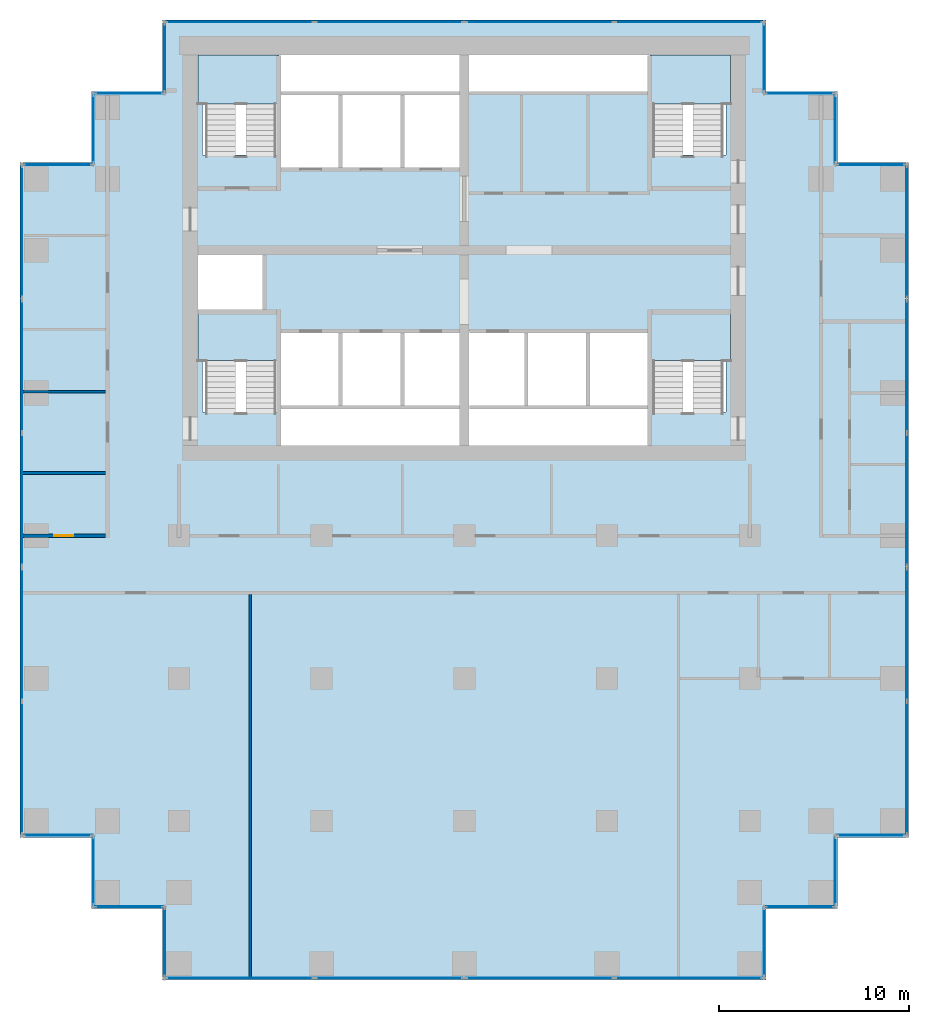
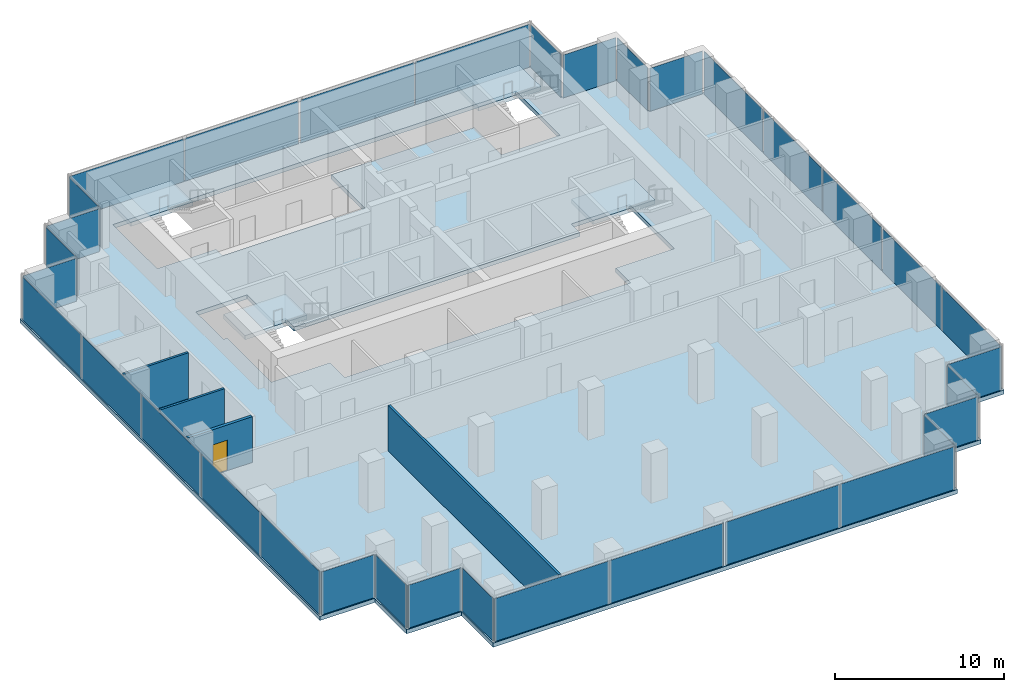
# One storey, part 6 of 10: 34 plates, 5 slabs, 4 walls, 1 door, 1 opening, 30 elements without a shape of their own.
"""IFC4 building model written with IfcOpenShell, lengths in metres."""

from ifc_helpers import new_model, si_unit, direction, frame, frame_2d, origin, origin_2d, place, context, subcontext, project, spatial, polyline, rectangle, outline, extrude, material, layer, layer_set, type_object, element, fill, aggregate, save


model = new_model("IFC4")

# Units and contexts
model_context = context("Model", 3, precision=1e-05, world=origin(), true_north=direction((0.0, 1.0)))
body_context = subcontext(model_context, "Body", "Model", "MODEL_VIEW")
ifc_project = project(units=[si_unit("LENGTHUNIT", "METRE"), si_unit("AREAUNIT", "SQUARE_METRE"), si_unit("VOLUMEUNIT", "CUBIC_METRE"), si_unit("PLANEANGLEUNIT", "RADIAN"), si_unit("MASSUNIT", "GRAM", prefix="KILO")], contexts=[model_context])

# Site, building, storey
site_placement = place(None, origin())
site = spatial("IfcSite", under=ifc_project, at=site_placement, CompositionType="ELEMENT")
building_placement = place(site_placement, origin())
building = spatial("IfcBuilding", under=site, at=building_placement, Name="Pilkhan Gate Tower", CompositionType="ELEMENT")
storey_placement = place(building_placement, frame((0.0, 0.0, 110.800048828125)))
storey = spatial("IfcBuildingStorey", under=building, at=storey_placement, Name="L27", CompositionType="ELEMENT", Elevation=110.800048828125)

# Slab
ifc_material_1 = material(Name="Concrete C40/50", Category="concrete")
ifc_layer_1 = layer(ifc_material_1, 0.300048828125)
ifc_layer_set_1 = layer_set([ifc_layer_1], Name="Flat plate slab FP300")
slab_type_1 = type_object("IfcSlabType", Name="Flat plate slab FP300", PredefinedType="FLOOR", material=ifc_layer_set_1)
slab_1_placement = place(storey_placement, frame((0.0, 0.0, -0.300048828125)))
element("IfcSlab", 1, at=slab_1_placement, inside=storey, type_object=slab_type_1, Name="Floor slab L27", PredefinedType="FLOOR", context=body_context, shape_type="SweptSolid", body=[
    extrude(outline(polyline([(94.60009765625, 47.89990234375), (90.85009765625, 47.89990234375), (90.85009765625, 44.14990234375), (59.14990234375, 44.14990234375), (59.14990234375, 47.89990234375), (55.39990234375, 47.89990234375), (55.39990234375, 51.64990234375), (51.64990234375, 51.64990234375), (51.64990234375, 87.10009765625), (55.39990234375, 87.10009765625), (55.39990234375, 90.85009765625), (59.14990234375, 90.85009765625), (59.14990234375, 94.60009765625), (90.85009765625, 94.60009765625), (90.85009765625, 90.85009765625), (94.60009765625, 90.85009765625), (94.60009765625, 87.10009765625), (98.35009765625, 87.10009765625), (98.35009765625, 51.64990234375), (94.60009765625, 51.64990234375), (94.60009765625, 47.89990234375)]), holes=[polyline([(65.25, 87.5), (65.25, 86.75), (68.5, 86.75), (71.75, 86.75), (75.0, 86.75), (75.0, 90.75), (84.75, 90.75), (84.75, 87.5), (88.75, 87.5), (88.75, 92.75), (84.75, 92.75), (75.0, 92.75), (65.25, 92.75), (61.25, 92.75), (61.25, 87.5), (65.25, 87.5)]), polyline([(75.0, 72.25), (84.75, 72.25), (84.75, 74.0), (88.75, 74.0), (88.75, 79.25), (84.75, 79.25), (84.75, 78.25), (81.5, 78.25), (78.25, 78.25), (75.0, 78.25), (71.75, 78.25), (68.5, 78.25), (65.25, 78.25), (65.25, 79.25), (64.5, 79.25), (64.5, 82.5), (61.25, 82.5), (61.0, 82.5), (61.0, 79.25), (61.25, 79.25), (61.25, 74.0), (65.25, 74.0), (65.25, 72.25), (75.0, 72.25)])]), origin(), (0.0, 0.0, 1.0), 0.300048828125),
])

# Curtain wall, plates
ifc_material_2 = material(Name="Pale anodised aluminium, clear low-iron double glazing", Category="aluminium")
curtain_wall_type = type_object("IfcCurtainWallType", Name="Office unitised curtain wall CW-O1", PredefinedType="USERDEFINED", material=ifc_material_2)
curtain_wall_1_placement = place(storey_placement, origin())
curtain_wall_1 = element("IfcCurtainWall", 2, at=curtain_wall_1_placement, inside=storey, type_object=curtain_wall_type, Name="Office unitised curtain wall CW-O1 L27 E", ObjectType="UNITISED CURTAIN WALL", PredefinedType="USERDEFINED")
ifc_material_3 = material(Name="Clear low-iron double glazing", Category="glass")
ifc_layer_2 = layer(ifc_material_3, 0.0400390625)
ifc_layer_set_2 = layer_set([ifc_layer_2], Name="Glass panel CW-O1 40")
plate_type = type_object("IfcPlateType", Name="Glass panel CW-O1 40", PredefinedType="CURTAIN_PANEL", material=ifc_layer_set_2)
plate_1_placement = place(storey_placement, frame((98.25, 55.29248046875, 0.0), z_axis=(0.0, 0.0, 1.0), x_axis=(0.0, 1.0, 0.0)))
plate_1 = element("IfcPlate", 3, at=plate_1_placement, type_object=plate_type, Name="CW-O1 panel 1", PredefinedType="CURTAIN_PANEL", context=body_context, shape_type="SweptSolid", body=[
    extrude(rectangle(XDim=6.945068359375, YDim=0.0400390625, at=origin_2d()), origin(), (0.0, 0.0, 1.0), 3.10009765625),
])
plate_2_placement = place(storey_placement, frame((98.25, 62.3076171875, 0.0), z_axis=(0.0, 0.0, 1.0), x_axis=(0.0, 1.0, 0.0)))
plate_2 = element("IfcPlate", 4, at=plate_2_placement, type_object=plate_type, Name="CW-O1 panel 2", PredefinedType="CURTAIN_PANEL", context=body_context, shape_type="SweptSolid", body=[
    extrude(rectangle(XDim=6.945068359375, YDim=0.0400390625, at=origin_2d()), origin(), (0.0, 0.0, 1.0), 3.10009765625),
])
aggregate(curtain_wall_1, [plate_1, plate_2])

curtain_wall_2_placement = place(storey_placement, origin())
curtain_wall_2 = element("IfcCurtainWall", 5, at=curtain_wall_2_placement, inside=storey, type_object=curtain_wall_type, Name="Office unitised curtain wall CW-O1 L27 E", ObjectType="UNITISED CURTAIN WALL", PredefinedType="USERDEFINED")
plate_3_placement = place(storey_placement, frame((98.25, 69.392578125, 0.0), z_axis=(0.0, 0.0, 1.0), x_axis=(0.0, 1.0, 0.0)))
plate_3 = element("IfcPlate", 6, at=plate_3_placement, type_object=plate_type, Name="CW-O1 panel 1", PredefinedType="CURTAIN_PANEL", context=body_context, shape_type="SweptSolid", body=[
    extrude(rectangle(XDim=6.945068359375, YDim=0.0400390625, at=origin_2d()), origin(), (0.0, 0.0, 1.0), 3.10009765625),
])
plate_4_placement = place(storey_placement, frame((98.25, 76.407470703125, 0.0), z_axis=(0.0, 0.0, 1.0), x_axis=(0.0, 1.0, 0.0)))
plate_4 = element("IfcPlate", 7, at=plate_4_placement, type_object=plate_type, Name="CW-O1 panel 2", PredefinedType="CURTAIN_PANEL", context=body_context, shape_type="SweptSolid", body=[
    extrude(rectangle(XDim=6.945068359375, YDim=0.0400390625, at=origin_2d()), origin(), (0.0, 0.0, 1.0), 3.10009765625),
])
aggregate(curtain_wall_2, [plate_3, plate_4])

# Curtain wall, plate
curtain_wall_3_placement = place(storey_placement, origin())
curtain_wall_3 = element("IfcCurtainWall", 8, at=curtain_wall_3_placement, inside=storey, type_object=curtain_wall_type, Name="Office unitised curtain wall CW-O1 L27 E", ObjectType="UNITISED CURTAIN WALL", PredefinedType="USERDEFINED")
plate_5_placement = place(storey_placement, frame((98.25, 83.47509765625, 0.0), z_axis=(0.0, 0.0, 1.0), x_axis=(0.0, 1.0, 0.0)))
plate_5 = element("IfcPlate", 9, at=plate_5_placement, type_object=plate_type, Name="CW-O1 panel 1", PredefinedType="CURTAIN_PANEL", context=body_context, shape_type="SweptSolid", body=[
    extrude(rectangle(XDim=6.909912109375, YDim=0.0400390625, at=origin_2d()), origin(), (0.0, 0.0, 1.0), 3.10009765625),
])
aggregate(curtain_wall_3, [plate_5])

curtain_wall_4_placement = place(storey_placement, origin())
curtain_wall_4 = element("IfcCurtainWall", 10, at=curtain_wall_4_placement, inside=storey, type_object=curtain_wall_type, Name="Office unitised curtain wall CW-O1 L27 N", ObjectType="UNITISED CURTAIN WALL", PredefinedType="USERDEFINED")
plate_6_placement = place(storey_placement, frame((96.375, 87.0, 0.0), z_axis=(0.0, 0.0, 1.0), x_axis=(1.0, 0.0, 0.0)))
plate_6 = element("IfcPlate", 11, at=plate_6_placement, type_object=plate_type, Name="CW-O1 panel 1", PredefinedType="CURTAIN_PANEL", context=body_context, shape_type="SweptSolid", body=[
    extrude(rectangle(XDim=3.610107421875, YDim=0.0400390625, at=origin_2d()), origin(), (0.0, 0.0, 1.0), 3.10009765625),
])
aggregate(curtain_wall_4, [plate_6])

curtain_wall_5_placement = place(storey_placement, origin())
curtain_wall_5 = element("IfcCurtainWall", 12, at=curtain_wall_5_placement, inside=storey, type_object=curtain_wall_type, Name="Office unitised curtain wall CW-O1 L27 E", ObjectType="UNITISED CURTAIN WALL", PredefinedType="USERDEFINED")
plate_7_placement = place(storey_placement, frame((94.5, 88.875, 0.0), z_axis=(0.0, 0.0, 1.0), x_axis=(0.0, 1.0, 0.0)))
plate_7 = element("IfcPlate", 13, at=plate_7_placement, type_object=plate_type, Name="CW-O1 panel 1", PredefinedType="CURTAIN_PANEL", context=body_context, shape_type="SweptSolid", body=[
    extrude(rectangle(XDim=3.610107421875, YDim=0.0400390625, at=origin_2d()), origin(), (0.0, 0.0, 1.0), 3.10009765625),
])
aggregate(curtain_wall_5, [plate_7])

curtain_wall_6_placement = place(storey_placement, origin())
curtain_wall_6 = element("IfcCurtainWall", 14, at=curtain_wall_6_placement, inside=storey, type_object=curtain_wall_type, Name="Office unitised curtain wall CW-O1 L27 N", ObjectType="UNITISED CURTAIN WALL", PredefinedType="USERDEFINED")
plate_8_placement = place(storey_placement, frame((92.625, 90.75, 0.0), z_axis=(0.0, 0.0, 1.0), x_axis=(1.0, 0.0, 0.0)))
plate_8 = element("IfcPlate", 15, at=plate_8_placement, type_object=plate_type, Name="CW-O1 panel 1", PredefinedType="CURTAIN_PANEL", context=body_context, shape_type="SweptSolid", body=[
    extrude(rectangle(XDim=3.610107421875, YDim=0.0400390625, at=origin_2d()), origin(), (0.0, 0.0, 1.0), 3.10009765625),
])
aggregate(curtain_wall_6, [plate_8])

curtain_wall_7_placement = place(storey_placement, origin())
curtain_wall_7 = element("IfcCurtainWall", 16, at=curtain_wall_7_placement, inside=storey, type_object=curtain_wall_type, Name="Office unitised curtain wall CW-O1 L27 E", ObjectType="UNITISED CURTAIN WALL", PredefinedType="USERDEFINED")
plate_9_placement = place(storey_placement, frame((90.75, 92.625, 0.0), z_axis=(0.0, 0.0, 1.0), x_axis=(0.0, 1.0, 0.0)))
plate_9 = element("IfcPlate", 17, at=plate_9_placement, type_object=plate_type, Name="CW-O1 panel 1", PredefinedType="CURTAIN_PANEL", context=body_context, shape_type="SweptSolid", body=[
    extrude(rectangle(XDim=3.610107421875, YDim=0.0400390625, at=origin_2d()), origin(), (0.0, 0.0, 1.0), 3.10009765625),
])
aggregate(curtain_wall_7, [plate_9])

# Curtain wall, plates
curtain_wall_8_placement = place(storey_placement, origin())
curtain_wall_8 = element("IfcCurtainWall", 18, at=curtain_wall_8_placement, inside=storey, type_object=curtain_wall_type, Name="Office unitised curtain wall CW-O1 L27 N", ObjectType="UNITISED CURTAIN WALL", PredefinedType="USERDEFINED")
plate_10_placement = place(storey_placement, frame((63.205078125, 94.5, 0.0), z_axis=(0.0, 0.0, 1.0), x_axis=(1.0, 0.0, 0.0)))
plate_10 = element("IfcPlate", 19, at=plate_10_placement, type_object=plate_type, Name="CW-O1 panel 1", PredefinedType="CURTAIN_PANEL", context=body_context, shape_type="SweptSolid", body=[
    extrude(rectangle(XDim=7.77001953125, YDim=0.0400390625, at=origin_2d()), origin(), (0.0, 0.0, 1.0), 3.10009765625),
])
plate_11_placement = place(storey_placement, frame((71.044921875, 94.5, 0.0), z_axis=(0.0, 0.0, 1.0), x_axis=(1.0, 0.0, 0.0)))
plate_11 = element("IfcPlate", 20, at=plate_11_placement, type_object=plate_type, Name="CW-O1 panel 2", PredefinedType="CURTAIN_PANEL", context=body_context, shape_type="SweptSolid", body=[
    extrude(rectangle(XDim=7.77001953125, YDim=0.0400390625, at=origin_2d()), origin(), (0.0, 0.0, 1.0), 3.10009765625),
])
aggregate(curtain_wall_8, [plate_10, plate_11])

curtain_wall_9_placement = place(storey_placement, origin())
curtain_wall_9 = element("IfcCurtainWall", 21, at=curtain_wall_9_placement, inside=storey, type_object=curtain_wall_type, Name="Office unitised curtain wall CW-O1 L27 N", ObjectType="UNITISED CURTAIN WALL", PredefinedType="USERDEFINED")
plate_12_placement = place(storey_placement, frame((78.955078125, 94.5, 0.0), z_axis=(0.0, 0.0, 1.0), x_axis=(1.0, 0.0, 0.0)))
plate_12 = element("IfcPlate", 22, at=plate_12_placement, type_object=plate_type, Name="CW-O1 panel 1", PredefinedType="CURTAIN_PANEL", context=body_context, shape_type="SweptSolid", body=[
    extrude(rectangle(XDim=7.77001953125, YDim=0.0400390625, at=origin_2d()), origin(), (0.0, 0.0, 1.0), 3.10009765625),
])
plate_13_placement = place(storey_placement, frame((86.794921875, 94.5, 0.0), z_axis=(0.0, 0.0, 1.0), x_axis=(1.0, 0.0, 0.0)))
plate_13 = element("IfcPlate", 23, at=plate_13_placement, type_object=plate_type, Name="CW-O1 panel 2", PredefinedType="CURTAIN_PANEL", context=body_context, shape_type="SweptSolid", body=[
    extrude(rectangle(XDim=7.77001953125, YDim=0.0400390625, at=origin_2d()), origin(), (0.0, 0.0, 1.0), 3.10009765625),
])
aggregate(curtain_wall_9, [plate_12, plate_13])

# Curtain wall, plate
curtain_wall_10_placement = place(storey_placement, origin())
curtain_wall_10 = element("IfcCurtainWall", 24, at=curtain_wall_10_placement, inside=storey, type_object=curtain_wall_type, Name="Office unitised curtain wall CW-O1 L27 W", ObjectType="UNITISED CURTAIN WALL", PredefinedType="USERDEFINED")
plate_14_placement = place(storey_placement, frame((59.25, 92.625, 0.0), z_axis=(0.0, 0.0, 1.0), x_axis=(0.0, 1.0, 0.0)))
plate_14 = element("IfcPlate", 25, at=plate_14_placement, type_object=plate_type, Name="CW-O1 panel 1", PredefinedType="CURTAIN_PANEL", context=body_context, shape_type="SweptSolid", body=[
    extrude(rectangle(XDim=3.610107421875, YDim=0.0400390625, at=origin_2d()), origin(), (0.0, 0.0, 1.0), 3.10009765625),
])
aggregate(curtain_wall_10, [plate_14])

curtain_wall_11_placement = place(storey_placement, origin())
curtain_wall_11 = element("IfcCurtainWall", 26, at=curtain_wall_11_placement, inside=storey, type_object=curtain_wall_type, Name="Office unitised curtain wall CW-O1 L27 N", ObjectType="UNITISED CURTAIN WALL", PredefinedType="USERDEFINED")
plate_15_placement = place(storey_placement, frame((57.375, 90.75, 0.0), z_axis=(0.0, 0.0, 1.0), x_axis=(1.0, 0.0, 0.0)))
plate_15 = element("IfcPlate", 27, at=plate_15_placement, type_object=plate_type, Name="CW-O1 panel 1", PredefinedType="CURTAIN_PANEL", context=body_context, shape_type="SweptSolid", body=[
    extrude(rectangle(XDim=3.610107421875, YDim=0.0400390625, at=origin_2d()), origin(), (0.0, 0.0, 1.0), 3.10009765625),
])
aggregate(curtain_wall_11, [plate_15])

curtain_wall_12_placement = place(storey_placement, origin())
curtain_wall_12 = element("IfcCurtainWall", 28, at=curtain_wall_12_placement, inside=storey, type_object=curtain_wall_type, Name="Office unitised curtain wall CW-O1 L27 W", ObjectType="UNITISED CURTAIN WALL", PredefinedType="USERDEFINED")
plate_16_placement = place(storey_placement, frame((55.5, 88.875, 0.0), z_axis=(0.0, 0.0, 1.0), x_axis=(0.0, 1.0, 0.0)))
plate_16 = element("IfcPlate", 29, at=plate_16_placement, type_object=plate_type, Name="CW-O1 panel 1", PredefinedType="CURTAIN_PANEL", context=body_context, shape_type="SweptSolid", body=[
    extrude(rectangle(XDim=3.610107421875, YDim=0.0400390625, at=origin_2d()), origin(), (0.0, 0.0, 1.0), 3.10009765625),
])
aggregate(curtain_wall_12, [plate_16])

curtain_wall_13_placement = place(storey_placement, origin())
curtain_wall_13 = element("IfcCurtainWall", 30, at=curtain_wall_13_placement, inside=storey, type_object=curtain_wall_type, Name="Office unitised curtain wall CW-O1 L27 N", ObjectType="UNITISED CURTAIN WALL", PredefinedType="USERDEFINED")
plate_17_placement = place(storey_placement, frame((53.625, 87.0, 0.0), z_axis=(0.0, 0.0, 1.0), x_axis=(1.0, 0.0, 0.0)))
plate_17 = element("IfcPlate", 31, at=plate_17_placement, type_object=plate_type, Name="CW-O1 panel 1", PredefinedType="CURTAIN_PANEL", context=body_context, shape_type="SweptSolid", body=[
    extrude(rectangle(XDim=3.610107421875, YDim=0.0400390625, at=origin_2d()), origin(), (0.0, 0.0, 1.0), 3.10009765625),
])
aggregate(curtain_wall_13, [plate_17])

# Curtain wall, plates
curtain_wall_14_placement = place(storey_placement, origin())
curtain_wall_14 = element("IfcCurtainWall", 32, at=curtain_wall_14_placement, inside=storey, type_object=curtain_wall_type, Name="Office unitised curtain wall CW-O1 L27 W", ObjectType="UNITISED CURTAIN WALL", PredefinedType="USERDEFINED")
plate_18_placement = place(storey_placement, frame((51.75, 55.29248046875, 0.0), z_axis=(0.0, 0.0, 1.0), x_axis=(0.0, 1.0, 0.0)))
plate_18 = element("IfcPlate", 33, at=plate_18_placement, type_object=plate_type, Name="CW-O1 panel 1", PredefinedType="CURTAIN_PANEL", context=body_context, shape_type="SweptSolid", body=[
    extrude(rectangle(XDim=6.945068359375, YDim=0.0400390625, at=origin_2d()), origin(), (0.0, 0.0, 1.0), 3.10009765625),
])
plate_19_placement = place(storey_placement, frame((51.75, 62.3076171875, 0.0), z_axis=(0.0, 0.0, 1.0), x_axis=(0.0, 1.0, 0.0)))
plate_19 = element("IfcPlate", 34, at=plate_19_placement, type_object=plate_type, Name="CW-O1 panel 2", PredefinedType="CURTAIN_PANEL", context=body_context, shape_type="SweptSolid", body=[
    extrude(rectangle(XDim=6.945068359375, YDim=0.0400390625, at=origin_2d()), origin(), (0.0, 0.0, 1.0), 3.10009765625),
])
aggregate(curtain_wall_14, [plate_18, plate_19])

curtain_wall_15_placement = place(storey_placement, origin())
curtain_wall_15 = element("IfcCurtainWall", 35, at=curtain_wall_15_placement, inside=storey, type_object=curtain_wall_type, Name="Office unitised curtain wall CW-O1 L27 W", ObjectType="UNITISED CURTAIN WALL", PredefinedType="USERDEFINED")
plate_20_placement = place(storey_placement, frame((51.75, 69.392578125, 0.0), z_axis=(0.0, 0.0, 1.0), x_axis=(0.0, 1.0, 0.0)))
plate_20 = element("IfcPlate", 36, at=plate_20_placement, type_object=plate_type, Name="CW-O1 panel 1", PredefinedType="CURTAIN_PANEL", context=body_context, shape_type="SweptSolid", body=[
    extrude(rectangle(XDim=6.945068359375, YDim=0.0400390625, at=origin_2d()), origin(), (0.0, 0.0, 1.0), 3.10009765625),
])
plate_21_placement = place(storey_placement, frame((51.75, 76.407470703125, 0.0), z_axis=(0.0, 0.0, 1.0), x_axis=(0.0, 1.0, 0.0)))
plate_21 = element("IfcPlate", 37, at=plate_21_placement, type_object=plate_type, Name="CW-O1 panel 2", PredefinedType="CURTAIN_PANEL", context=body_context, shape_type="SweptSolid", body=[
    extrude(rectangle(XDim=6.945068359375, YDim=0.0400390625, at=origin_2d()), origin(), (0.0, 0.0, 1.0), 3.10009765625),
])
aggregate(curtain_wall_15, [plate_20, plate_21])

# Curtain wall, plate
curtain_wall_16_placement = place(storey_placement, origin())
curtain_wall_16 = element("IfcCurtainWall", 38, at=curtain_wall_16_placement, inside=storey, type_object=curtain_wall_type, Name="Office unitised curtain wall CW-O1 L27 W", ObjectType="UNITISED CURTAIN WALL", PredefinedType="USERDEFINED")
plate_22_placement = place(storey_placement, frame((51.75, 83.47509765625, 0.0), z_axis=(0.0, 0.0, 1.0), x_axis=(0.0, 1.0, 0.0)))
plate_22 = element("IfcPlate", 39, at=plate_22_placement, type_object=plate_type, Name="CW-O1 panel 1", PredefinedType="CURTAIN_PANEL", context=body_context, shape_type="SweptSolid", body=[
    extrude(rectangle(XDim=6.909912109375, YDim=0.0400390625, at=origin_2d()), origin(), (0.0, 0.0, 1.0), 3.10009765625),
])
aggregate(curtain_wall_16, [plate_22])

curtain_wall_17_placement = place(storey_placement, origin())
curtain_wall_17 = element("IfcCurtainWall", 40, at=curtain_wall_17_placement, inside=storey, type_object=curtain_wall_type, Name="Office unitised curtain wall CW-O1 L27 S", ObjectType="UNITISED CURTAIN WALL", PredefinedType="USERDEFINED")
plate_23_placement = place(storey_placement, frame((53.625, 51.75, 0.0), z_axis=(0.0, 0.0, 1.0), x_axis=(1.0, 0.0, 0.0)))
plate_23 = element("IfcPlate", 41, at=plate_23_placement, type_object=plate_type, Name="CW-O1 panel 1", PredefinedType="CURTAIN_PANEL", context=body_context, shape_type="SweptSolid", body=[
    extrude(rectangle(XDim=3.610107421875, YDim=0.0400390625, at=origin_2d()), origin(), (0.0, 0.0, 1.0), 3.10009765625),
])
aggregate(curtain_wall_17, [plate_23])

curtain_wall_18_placement = place(storey_placement, origin())
curtain_wall_18 = element("IfcCurtainWall", 42, at=curtain_wall_18_placement, inside=storey, type_object=curtain_wall_type, Name="Office unitised curtain wall CW-O1 L27 W", ObjectType="UNITISED CURTAIN WALL", PredefinedType="USERDEFINED")
plate_24_placement = place(storey_placement, frame((55.5, 49.875, 0.0), z_axis=(0.0, 0.0, 1.0), x_axis=(0.0, 1.0, 0.0)))
plate_24 = element("IfcPlate", 43, at=plate_24_placement, type_object=plate_type, Name="CW-O1 panel 1", PredefinedType="CURTAIN_PANEL", context=body_context, shape_type="SweptSolid", body=[
    extrude(rectangle(XDim=3.610107421875, YDim=0.0400390625, at=origin_2d()), origin(), (0.0, 0.0, 1.0), 3.10009765625),
])
aggregate(curtain_wall_18, [plate_24])

curtain_wall_19_placement = place(storey_placement, origin())
curtain_wall_19 = element("IfcCurtainWall", 44, at=curtain_wall_19_placement, inside=storey, type_object=curtain_wall_type, Name="Office unitised curtain wall CW-O1 L27 S", ObjectType="UNITISED CURTAIN WALL", PredefinedType="USERDEFINED")
plate_25_placement = place(storey_placement, frame((57.375, 48.0, 0.0), z_axis=(0.0, 0.0, 1.0), x_axis=(1.0, 0.0, 0.0)))
plate_25 = element("IfcPlate", 45, at=plate_25_placement, type_object=plate_type, Name="CW-O1 panel 1", PredefinedType="CURTAIN_PANEL", context=body_context, shape_type="SweptSolid", body=[
    extrude(rectangle(XDim=3.610107421875, YDim=0.0400390625, at=origin_2d()), origin(), (0.0, 0.0, 1.0), 3.10009765625),
])
aggregate(curtain_wall_19, [plate_25])

curtain_wall_20_placement = place(storey_placement, origin())
curtain_wall_20 = element("IfcCurtainWall", 46, at=curtain_wall_20_placement, inside=storey, type_object=curtain_wall_type, Name="Office unitised curtain wall CW-O1 L27 W", ObjectType="UNITISED CURTAIN WALL", PredefinedType="USERDEFINED")
plate_26_placement = place(storey_placement, frame((59.25, 46.125, 0.0), z_axis=(0.0, 0.0, 1.0), x_axis=(0.0, 1.0, 0.0)))
plate_26 = element("IfcPlate", 47, at=plate_26_placement, type_object=plate_type, Name="CW-O1 panel 1", PredefinedType="CURTAIN_PANEL", context=body_context, shape_type="SweptSolid", body=[
    extrude(rectangle(XDim=3.610107421875, YDim=0.0400390625, at=origin_2d()), origin(), (0.0, 0.0, 1.0), 3.10009765625),
])
aggregate(curtain_wall_20, [plate_26])

# Curtain wall, plates
curtain_wall_21_placement = place(storey_placement, origin())
curtain_wall_21 = element("IfcCurtainWall", 48, at=curtain_wall_21_placement, inside=storey, type_object=curtain_wall_type, Name="Office unitised curtain wall CW-O1 L27 S", ObjectType="UNITISED CURTAIN WALL", PredefinedType="USERDEFINED")
plate_27_placement = place(storey_placement, frame((63.205078125, 44.25, 0.0), z_axis=(0.0, 0.0, 1.0), x_axis=(1.0, 0.0, 0.0)))
plate_27 = element("IfcPlate", 49, at=plate_27_placement, type_object=plate_type, Name="CW-O1 panel 1", PredefinedType="CURTAIN_PANEL", context=body_context, shape_type="SweptSolid", body=[
    extrude(rectangle(XDim=7.77001953125, YDim=0.0400390625, at=origin_2d()), origin(), (0.0, 0.0, 1.0), 3.10009765625),
])
plate_28_placement = place(storey_placement, frame((71.044921875, 44.25, 0.0), z_axis=(0.0, 0.0, 1.0), x_axis=(1.0, 0.0, 0.0)))
plate_28 = element("IfcPlate", 50, at=plate_28_placement, type_object=plate_type, Name="CW-O1 panel 2", PredefinedType="CURTAIN_PANEL", context=body_context, shape_type="SweptSolid", body=[
    extrude(rectangle(XDim=7.77001953125, YDim=0.0400390625, at=origin_2d()), origin(), (0.0, 0.0, 1.0), 3.10009765625),
])
aggregate(curtain_wall_21, [plate_27, plate_28])

curtain_wall_22_placement = place(storey_placement, origin())
curtain_wall_22 = element("IfcCurtainWall", 51, at=curtain_wall_22_placement, inside=storey, type_object=curtain_wall_type, Name="Office unitised curtain wall CW-O1 L27 S", ObjectType="UNITISED CURTAIN WALL", PredefinedType="USERDEFINED")
plate_29_placement = place(storey_placement, frame((78.955078125, 44.25, 0.0), z_axis=(0.0, 0.0, 1.0), x_axis=(1.0, 0.0, 0.0)))
plate_29 = element("IfcPlate", 52, at=plate_29_placement, type_object=plate_type, Name="CW-O1 panel 1", PredefinedType="CURTAIN_PANEL", context=body_context, shape_type="SweptSolid", body=[
    extrude(rectangle(XDim=7.77001953125, YDim=0.0400390625, at=origin_2d()), origin(), (0.0, 0.0, 1.0), 3.10009765625),
])
plate_30_placement = place(storey_placement, frame((86.794921875, 44.25, 0.0), z_axis=(0.0, 0.0, 1.0), x_axis=(1.0, 0.0, 0.0)))
plate_30 = element("IfcPlate", 53, at=plate_30_placement, type_object=plate_type, Name="CW-O1 panel 2", PredefinedType="CURTAIN_PANEL", context=body_context, shape_type="SweptSolid", body=[
    extrude(rectangle(XDim=7.77001953125, YDim=0.0400390625, at=origin_2d()), origin(), (0.0, 0.0, 1.0), 3.10009765625),
])
aggregate(curtain_wall_22, [plate_29, plate_30])

# Curtain wall, plate
curtain_wall_23_placement = place(storey_placement, origin())
curtain_wall_23 = element("IfcCurtainWall", 54, at=curtain_wall_23_placement, inside=storey, type_object=curtain_wall_type, Name="Office unitised curtain wall CW-O1 L27 E", ObjectType="UNITISED CURTAIN WALL", PredefinedType="USERDEFINED")
plate_31_placement = place(storey_placement, frame((90.75, 46.125, 0.0), z_axis=(0.0, 0.0, 1.0), x_axis=(0.0, 1.0, 0.0)))
plate_31 = element("IfcPlate", 55, at=plate_31_placement, type_object=plate_type, Name="CW-O1 panel 1", PredefinedType="CURTAIN_PANEL", context=body_context, shape_type="SweptSolid", body=[
    extrude(rectangle(XDim=3.610107421875, YDim=0.0400390625, at=origin_2d()), origin(), (0.0, 0.0, 1.0), 3.10009765625),
])
aggregate(curtain_wall_23, [plate_31])

curtain_wall_24_placement = place(storey_placement, origin())
curtain_wall_24 = element("IfcCurtainWall", 56, at=curtain_wall_24_placement, inside=storey, type_object=curtain_wall_type, Name="Office unitised curtain wall CW-O1 L27 S", ObjectType="UNITISED CURTAIN WALL", PredefinedType="USERDEFINED")
plate_32_placement = place(storey_placement, frame((92.625, 48.0, 0.0), z_axis=(0.0, 0.0, 1.0), x_axis=(1.0, 0.0, 0.0)))
plate_32 = element("IfcPlate", 57, at=plate_32_placement, type_object=plate_type, Name="CW-O1 panel 1", PredefinedType="CURTAIN_PANEL", context=body_context, shape_type="SweptSolid", body=[
    extrude(rectangle(XDim=3.610107421875, YDim=0.0400390625, at=origin_2d()), origin(), (0.0, 0.0, 1.0), 3.10009765625),
])
aggregate(curtain_wall_24, [plate_32])

curtain_wall_25_placement = place(storey_placement, origin())
curtain_wall_25 = element("IfcCurtainWall", 58, at=curtain_wall_25_placement, inside=storey, type_object=curtain_wall_type, Name="Office unitised curtain wall CW-O1 L27 E", ObjectType="UNITISED CURTAIN WALL", PredefinedType="USERDEFINED")
plate_33_placement = place(storey_placement, frame((94.5, 49.875, 0.0), z_axis=(0.0, 0.0, 1.0), x_axis=(0.0, 1.0, 0.0)))
plate_33 = element("IfcPlate", 59, at=plate_33_placement, type_object=plate_type, Name="CW-O1 panel 1", PredefinedType="CURTAIN_PANEL", context=body_context, shape_type="SweptSolid", body=[
    extrude(rectangle(XDim=3.610107421875, YDim=0.0400390625, at=origin_2d()), origin(), (0.0, 0.0, 1.0), 3.10009765625),
])
aggregate(curtain_wall_25, [plate_33])

curtain_wall_26_placement = place(storey_placement, origin())
curtain_wall_26 = element("IfcCurtainWall", 60, at=curtain_wall_26_placement, inside=storey, type_object=curtain_wall_type, Name="Office unitised curtain wall CW-O1 L27 S", ObjectType="UNITISED CURTAIN WALL", PredefinedType="USERDEFINED")
plate_34_placement = place(storey_placement, frame((96.375, 51.75, 0.0), z_axis=(0.0, 0.0, 1.0), x_axis=(1.0, 0.0, 0.0)))
plate_34 = element("IfcPlate", 61, at=plate_34_placement, type_object=plate_type, Name="CW-O1 panel 1", PredefinedType="CURTAIN_PANEL", context=body_context, shape_type="SweptSolid", body=[
    extrude(rectangle(XDim=3.610107421875, YDim=0.0400390625, at=origin_2d()), origin(), (0.0, 0.0, 1.0), 3.10009765625),
])
aggregate(curtain_wall_26, [plate_34])

# Stair, slab
ifc_material_4 = material(Name="Concrete C40/50 precast", Category="concrete")
stair_type_1 = type_object("IfcStairType", Name="Stair ST1 164x280", PredefinedType="HALF_TURN_STAIR", material=ifc_material_4)
stair_1_placement = place(storey_placement, origin())
stair_1 = element("IfcStair", 62, at=stair_1_placement, inside=storey, type_object=stair_type_1, Name="Stair ST1 L27", PredefinedType="HALF_TURN_STAIR")
ifc_layer_3 = layer(ifc_material_1, 0.199951171875)
ifc_layer_set_3 = layer_set([ifc_layer_3], Name="Stair landing SL200")
slab_type_2 = type_object("IfcSlabType", Name="Stair landing SL200", PredefinedType="LANDING", material=ifc_layer_set_3)
slab_2_placement = place(storey_placement, frame((0.0, 0.0, 1.5)))
slab_2 = element("IfcSlab", 63, at=slab_2_placement, type_object=slab_type_2, Name="ST1 landing 1", PredefinedType="LANDING", context=body_context, shape_type="SweptSolid", body=[
    extrude(outline(polyline([(89.0, 76.699951171875), (89.0, 79.25), (84.75, 79.25), (84.75, 76.699951171875), (89.0, 76.699951171875)])), origin(), (0.0, 0.0, 1.0), 0.300048828125),
])
aggregate(stair_1, [slab_2])

stair_type_2 = type_object("IfcStairType", Name="Stair ST2 164x280", PredefinedType="HALF_TURN_STAIR", material=ifc_material_4)
stair_2_placement = place(storey_placement, origin())
stair_2 = element("IfcStair", 64, at=stair_2_placement, inside=storey, type_object=stair_type_2, Name="Stair ST2 L27", PredefinedType="HALF_TURN_STAIR")
slab_3_placement = place(storey_placement, frame((0.0, 0.0, 1.5)))
slab_3 = element("IfcSlab", 65, at=slab_3_placement, type_object=slab_type_2, Name="ST2 landing 1", PredefinedType="LANDING", context=body_context, shape_type="SweptSolid", body=[
    extrude(outline(polyline([(65.25, 76.699951171875), (65.25, 79.25), (61.0, 79.25), (61.0, 76.699951171875), (65.25, 76.699951171875)])), origin(), (0.0, 0.0, 1.0), 0.300048828125),
])
aggregate(stair_2, [slab_3])

stair_type_3 = type_object("IfcStairType", Name="Stair ST3 164x280", PredefinedType="HALF_TURN_STAIR", material=ifc_material_4)
stair_3_placement = place(storey_placement, origin())
stair_3 = element("IfcStair", 66, at=stair_3_placement, inside=storey, type_object=stair_type_3, Name="Stair ST3 L27", PredefinedType="HALF_TURN_STAIR")
slab_4_placement = place(storey_placement, frame((0.0, 0.0, 1.5)))
slab_4 = element("IfcSlab", 67, at=slab_4_placement, type_object=slab_type_2, Name="ST3 landing 1", PredefinedType="LANDING", context=body_context, shape_type="SweptSolid", body=[
    extrude(outline(polyline([(65.25, 90.199951171875), (65.25, 92.75), (61.0, 92.75), (61.0, 90.199951171875), (65.25, 90.199951171875)])), origin(), (0.0, 0.0, 1.0), 0.300048828125),
])
aggregate(stair_3, [slab_4])

stair_type_4 = type_object("IfcStairType", Name="Stair ST4 164x280", PredefinedType="HALF_TURN_STAIR", material=ifc_material_4)
stair_4_placement = place(storey_placement, origin())
stair_4 = element("IfcStair", 68, at=stair_4_placement, inside=storey, type_object=stair_type_4, Name="Stair ST4 L27", PredefinedType="HALF_TURN_STAIR")
slab_5_placement = place(storey_placement, frame((0.0, 0.0, 1.5)))
slab_5 = element("IfcSlab", 69, at=slab_5_placement, type_object=slab_type_2, Name="ST4 landing 1", PredefinedType="LANDING", context=body_context, shape_type="SweptSolid", body=[
    extrude(outline(polyline([(89.0, 90.199951171875), (89.0, 92.75), (84.75, 92.75), (84.75, 90.199951171875), (89.0, 90.199951171875)])), origin(), (0.0, 0.0, 1.0), 0.300048828125),
])
aggregate(stair_4, [slab_5])

# Wall, opening, door
ifc_material_5 = material(Name="Dense blockwork", Category="masonry")
ifc_layer_4 = layer(ifc_material_5, 0.199951171875)
ifc_layer_set_4 = layer_set([ifc_layer_4], Name="Corridor wall FW200")
wall_type_1 = type_object("IfcWallType", Name="Corridor wall FW200", PredefinedType="PARTITIONING", material=ifc_layer_set_4)
wall_1_placement = place(storey_placement, frame((51.735107421875, 67.5, 0.0), z_axis=(0.0, 0.0, 1.0), x_axis=(1.0, 0.0, 0.0)))
wall_1 = element("IfcWall", 70, at=wall_1_placement, inside=storey, type_object=wall_type_1, Name="Partition L27", PredefinedType="PARTITIONING", context=body_context, shape_type="SweptSolid", body=[
    extrude(rectangle(XDim=4.414794921875, YDim=0.199951171875, at=frame_2d((2.20751953125, 0.0))), origin(), (0.0, 0.0, 1.0), 3.300048828125),
])
opening_placement = place(wall_1_placement, frame((1.699951171875, 0.0, 0.0)))
opening = element("IfcOpeningElement", 71, at=opening_placement, cuts=wall_1, Name="Opening L27-19", PredefinedType="OPENING", context=body_context, shape_type="SweptSolid", body=[
    extrude(rectangle(XDim=1.0, YDim=2.199951171875, at=frame_2d((0.5, 1.10009765625))), frame((0.0, 0.10986328125, 0.0), z_axis=(0.0, -1.0, 0.0), x_axis=(1.0, 0.0, 0.0)), (0.0, 0.0, 1.0), 0.219970703125),
])
ifc_material_6 = material(Name="Timber flush door, 30 minute fire resisting", Category="wood")
door_type = type_object("IfcDoorType", Name="Room door D03 1000x2200", OperationType="SINGLE_SWING_LEFT", PredefinedType="DOOR", material=ifc_material_6)
door_placement = place(opening_placement, origin())
door = element("IfcDoor", 72, at=door_placement, inside=storey, type_object=door_type, Name="Room door", OperationType="SINGLE_SWING_RIGHT", OverallHeight=2.199951171875, OverallWidth=1.0, PredefinedType="DOOR", context=body_context, shape_type="SweptSolid", body=[
    extrude(rectangle(XDim=1.0, YDim=2.199951171875, at=frame_2d((0.5, 1.10009765625))), frame((0.0, 0.02490234375, 0.0), z_axis=(0.0, -1.0, 0.0), x_axis=(1.0, 0.0, 0.0)), (0.0, 0.0, 1.0), 0.050048828125),
])
fill(opening, door)

# Walls
ifc_material_7 = material(Name="Blockwork partition, plastered both sides", Category="masonry")
ifc_layer_5 = layer(ifc_material_7, 0.14990234375)
ifc_layer_set_5 = layer_set([ifc_layer_5], Name="Partition PW150")
wall_type_2 = type_object("IfcWallType", Name="Partition PW150", PredefinedType="PARTITIONING", material=ifc_layer_set_5)
for number, where, z_axis, x_axis, name in (
    (73, (51.735107421875, 70.7880859375, 0.0), (0.0, 0.0, 1.0), (1.0, 0.0, 0.0), "Partition L27"),
    (74, (51.735107421875, 75.06103515625, 0.0), (0.0, 0.0, 1.0), (1.0, 0.0, 0.0), "Partition L27"),
):
    element("IfcWall", number, at=place(storey_placement, frame(where, z_axis=z_axis, x_axis=x_axis)), inside=storey, type_object=wall_type_2, Name=name, PredefinedType="PARTITIONING", context=body_context, shape_type="SweptSolid", body=[
        extrude(rectangle(XDim=4.414794921875, YDim=0.14990234375, at=frame_2d((2.20751953125, 0.0))), origin(), (0.0, 0.0, 1.0), 3.300048828125),
    ])
wall_2_placement = place(storey_placement, frame((63.75, 44.235107421875, 0.0), z_axis=(0.0, 0.0, 1.0), x_axis=(0.0, 1.0, 0.0)))
element("IfcWall", 75, at=wall_2_placement, inside=storey, type_object=wall_type_2, Name="Partition L27", PredefinedType="PARTITIONING", context=body_context, shape_type="SweptSolid", body=[
    extrude(rectangle(XDim=20.164794921875, YDim=0.14990234375, at=frame_2d((10.08251953125, 0.0))), origin(), (0.0, 0.0, 1.0), 3.300048828125),
])

save(model, "model.ifc")
